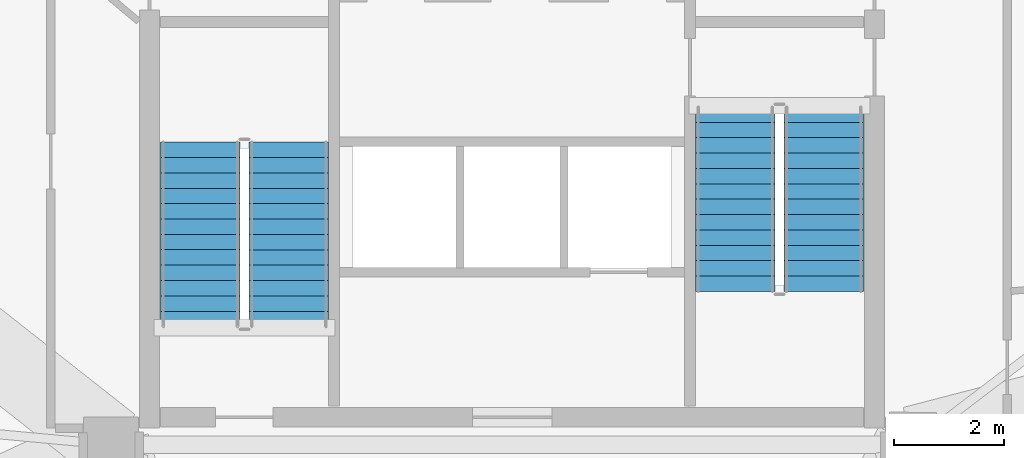
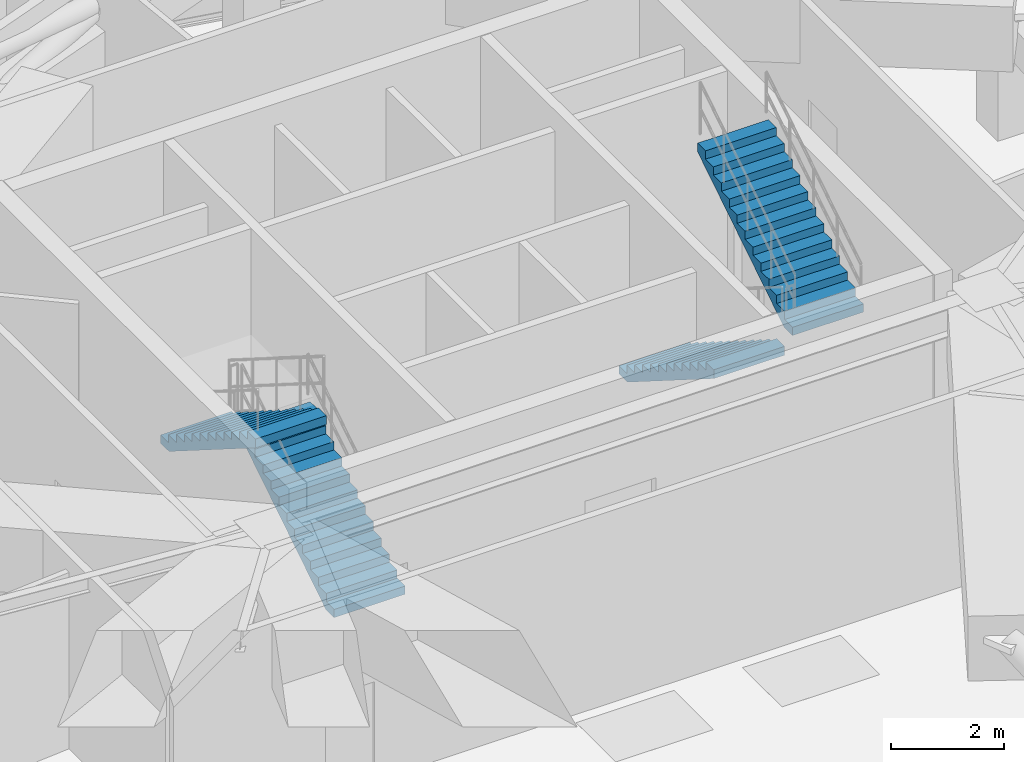
# One storey, part 18 of 19: 4 stair flights, 2 elements without a shape of their own.
"""IFC4 building model written with IfcOpenShell, lengths in metres."""

from ifc_helpers import new_model, si_unit, direction, frame, origin, place, context, subcontext, project, spatial, polyline, outline, extrude, material, layer, layer_set, type_object, element, aggregate, save


model = new_model("IFC4")

# Units and contexts
model_context = context("Model", 3, precision=1e-05, world=origin(), true_north=direction((0.0, 1.0)))
body_context = subcontext(model_context, "Body", "Model", "MODEL_VIEW")
ifc_project = project(units=[si_unit("LENGTHUNIT", "METRE"), si_unit("AREAUNIT", "SQUARE_METRE"), si_unit("VOLUMEUNIT", "CUBIC_METRE"), si_unit("PLANEANGLEUNIT", "RADIAN"), si_unit("MASSUNIT", "GRAM", prefix="KILO")], contexts=[model_context])

# Site, building, storey
site_placement = place(None, origin())
site = spatial("IfcSite", under=ifc_project, at=site_placement, CompositionType="ELEMENT")
building_placement = place(site_placement, origin())
building = spatial("IfcBuilding", under=site, at=building_placement, Name="Talar Marvaseh", CompositionType="ELEMENT")
storey_placement = place(building_placement, frame((0.0, 0.0, 236.199951171875)))
storey = spatial("IfcBuildingStorey", under=building, at=storey_placement, Name="L62", CompositionType="ELEMENT", Elevation=236.199951171875)

# Stair, stair flights
ifc_material = material(Name="Concrete C40/50", Category="concrete")
stair_type = type_object("IfcStairType", Name="Reinforced Concrete High-Rise Exit Stair Type C", PredefinedType="HALF_TURN_STAIR", material=ifc_material)
stair_1_placement = place(storey_placement, origin())
stair_1 = element("IfcStair", 1, at=stair_1_placement, inside=storey, type_object=stair_type, Name="L62 Tower West Core Exit Stair", PredefinedType="HALF_TURN_STAIR")
ifc_layer = layer(ifc_material, 0.159912109375)
ifc_layer_set = layer_set([ifc_layer], Name="Concrete C40/50")
stair_flight_type = type_object("IfcStairFlightType", Name="Reinforced Concrete Straight Stair Flight 160", PredefinedType="STRAIGHT", material=ifc_layer_set)
stair_flight_1_placement = place(storey_placement, frame((21.93505859375, 27.64990234375, 0.0), z_axis=(0.0, 0.0, 1.0), x_axis=(0.0, 1.0, 0.0)))
stair_flight_1 = element("IfcStairFlight", 2, at=stair_flight_1_placement, type_object=stair_flight_type, Name="ST-1 flight 1", NumberOfRisers=13, NumberOfTreads=12, PredefinedType="STRAIGHT", RiserHeight=0.176923077, TreadLength=0.28, context=body_context, shape_type="SweptSolid", body=[
    extrude(outline(polyline([(0.0, 0.0), (0.0, 0.177001953125), (0.280029296875, 0.177001953125), (0.280029296875, 0.353759765625), (0.56005859375, 0.353759765625), (0.56005859375, 0.53076171875), (0.840087890625, 0.53076171875), (0.840087890625, 0.707763671875), (1.1201171875, 0.707763671875), (1.1201171875, 0.884521484375), (1.39990234375, 0.884521484375), (1.39990234375, 1.0615234375), (1.679931640625, 1.0615234375), (1.679931640625, 1.238525390625), (1.9599609375, 1.238525390625), (1.9599609375, 1.415283203125), (2.239990234375, 1.415283203125), (2.239990234375, 1.59228515625), (2.52001953125, 1.59228515625), (2.52001953125, 1.769287109375), (2.800048828125, 1.769287109375), (2.800048828125, 1.946044921875), (3.080078125, 1.946044921875), (3.080078125, 2.123046875), (3.360107421875, 2.123046875), (3.360107421875, 2.300048828125), (3.360107421875, 1.933837890625), (0.29931640625, 0.0), (0.0, 0.0)])), frame((0.0, 0.72509765625, 0.0), z_axis=(0.0, -1.0, 0.0), x_axis=(1.0, 0.0, 0.0)), (0.0, 0.0, 1.0), 1.449951171875),
])
stair_flight_2_placement = place(storey_placement, frame((20.324951171875, 31.010009765625, 2.300048828125), z_axis=(0.0, 0.0, 1.0), x_axis=(0.0, -1.0, 0.0)))
stair_flight_2 = element("IfcStairFlight", 3, at=stair_flight_2_placement, type_object=stair_flight_type, Name="ST-1 flight 2", NumberOfRisers=13, NumberOfTreads=12, PredefinedType="STRAIGHT", RiserHeight=0.176923077, TreadLength=0.28, context=body_context, shape_type="SweptSolid", body=[
    extrude(outline(polyline([(0.0, 0.0), (0.0, 0.177001953125), (0.280029296875, 0.177001953125), (0.280029296875, 0.353759765625), (0.56005859375, 0.353759765625), (0.56005859375, 0.53076171875), (0.840087890625, 0.53076171875), (0.840087890625, 0.707763671875), (1.1201171875, 0.707763671875), (1.1201171875, 0.884521484375), (1.39990234375, 0.884521484375), (1.39990234375, 1.0615234375), (1.679931640625, 1.0615234375), (1.679931640625, 1.238525390625), (1.9599609375, 1.238525390625), (1.9599609375, 1.415283203125), (2.239990234375, 1.415283203125), (2.239990234375, 1.59228515625), (2.52001953125, 1.59228515625), (2.52001953125, 1.769287109375), (2.800048828125, 1.769287109375), (2.800048828125, 1.946044921875), (3.080078125, 1.946044921875), (3.080078125, 2.123046875), (3.360107421875, 2.123046875), (3.360107421875, 2.300048828125), (3.360107421875, 1.933837890625), (0.29931640625, 0.0), (0.0, 0.0)])), frame((0.0, 0.72509765625, 0.0), z_axis=(0.0, -1.0, 0.0), x_axis=(1.0, 0.0, 0.0)), (0.0, 0.0, 1.0), 1.449951171875),
])
aggregate(stair_1, [stair_flight_1, stair_flight_2])

stair_2_placement = place(storey_placement, origin())
stair_2 = element("IfcStair", 4, at=stair_2_placement, inside=storey, type_object=stair_type, Name="L62 Tower East Core Exit Stair", PredefinedType="HALF_TURN_STAIR")
stair_flight_3_placement = place(storey_placement, frame((30.06494140625, 31.64990234375, 0.0), z_axis=(0.0, 0.0, 1.0), x_axis=(0.0, -1.0, 0.0)))
stair_flight_3 = element("IfcStairFlight", 5, at=stair_flight_3_placement, type_object=stair_flight_type, Name="ST-2 flight 1", NumberOfRisers=13, NumberOfTreads=12, PredefinedType="STRAIGHT", RiserHeight=0.176923077, TreadLength=0.28, context=body_context, shape_type="SweptSolid", body=[
    extrude(outline(polyline([(0.0, 0.0), (0.0, 0.177001953125), (0.280029296875, 0.177001953125), (0.280029296875, 0.353759765625), (0.56005859375, 0.353759765625), (0.56005859375, 0.53076171875), (0.840087890625, 0.53076171875), (0.840087890625, 0.707763671875), (1.1201171875, 0.707763671875), (1.1201171875, 0.884521484375), (1.39990234375, 0.884521484375), (1.39990234375, 1.0615234375), (1.679931640625, 1.0615234375), (1.679931640625, 1.238525390625), (1.9599609375, 1.238525390625), (1.9599609375, 1.415283203125), (2.239990234375, 1.415283203125), (2.239990234375, 1.59228515625), (2.52001953125, 1.59228515625), (2.52001953125, 1.769287109375), (2.800048828125, 1.769287109375), (2.800048828125, 1.946044921875), (3.080078125, 1.946044921875), (3.080078125, 2.123046875), (3.360107421875, 2.123046875), (3.360107421875, 2.300048828125), (3.360107421875, 1.933837890625), (0.29931640625, 0.0), (0.0, 0.0)])), frame((0.0, 0.72509765625, 0.0), z_axis=(0.0, -1.0, 0.0), x_axis=(1.0, 0.0, 0.0)), (0.0, 0.0, 1.0), 1.449951171875),
])
stair_flight_4_placement = place(storey_placement, frame((31.675048828125, 28.2900390625, 2.300048828125), z_axis=(0.0, 0.0, 1.0), x_axis=(0.0, 1.0, 0.0)))
stair_flight_4 = element("IfcStairFlight", 6, at=stair_flight_4_placement, type_object=stair_flight_type, Name="ST-2 flight 2", NumberOfRisers=13, NumberOfTreads=12, PredefinedType="STRAIGHT", RiserHeight=0.176923077, TreadLength=0.28, context=body_context, shape_type="SweptSolid", body=[
    extrude(outline(polyline([(0.0, 0.0), (0.0, 0.177001953125), (0.280029296875, 0.177001953125), (0.280029296875, 0.353759765625), (0.56005859375, 0.353759765625), (0.56005859375, 0.53076171875), (0.840087890625, 0.53076171875), (0.840087890625, 0.707763671875), (1.1201171875, 0.707763671875), (1.1201171875, 0.884521484375), (1.39990234375, 0.884521484375), (1.39990234375, 1.0615234375), (1.679931640625, 1.0615234375), (1.679931640625, 1.238525390625), (1.9599609375, 1.238525390625), (1.9599609375, 1.415283203125), (2.239990234375, 1.415283203125), (2.239990234375, 1.59228515625), (2.52001953125, 1.59228515625), (2.52001953125, 1.769287109375), (2.800048828125, 1.769287109375), (2.800048828125, 1.946044921875), (3.080078125, 1.946044921875), (3.080078125, 2.123046875), (3.360107421875, 2.123046875), (3.360107421875, 2.300048828125), (3.360107421875, 1.933837890625), (0.29931640625, 0.0), (0.0, 0.0)])), frame((0.0, 0.72509765625, 0.0), z_axis=(0.0, -1.0, 0.0), x_axis=(1.0, 0.0, 0.0)), (0.0, 0.0, 1.0), 1.449951171875),
])
aggregate(stair_2, [stair_flight_3, stair_flight_4])

save(model, "model.ifc")
